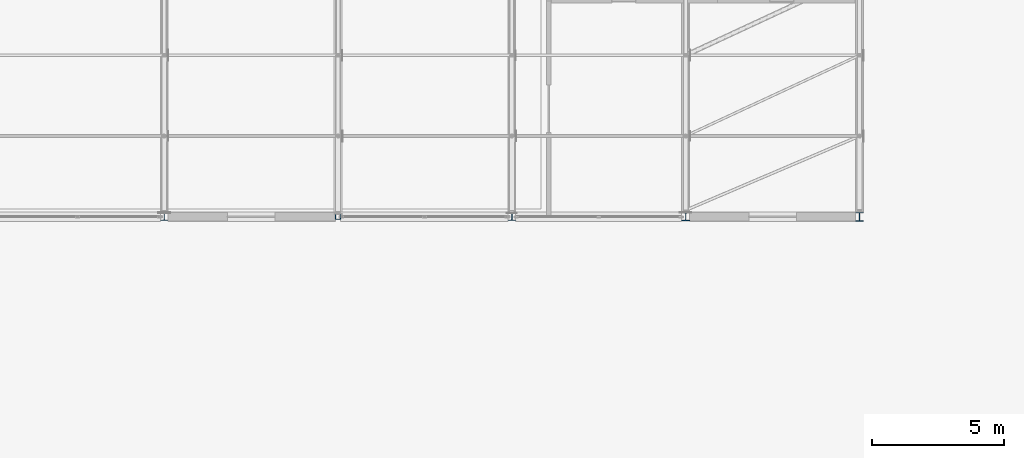
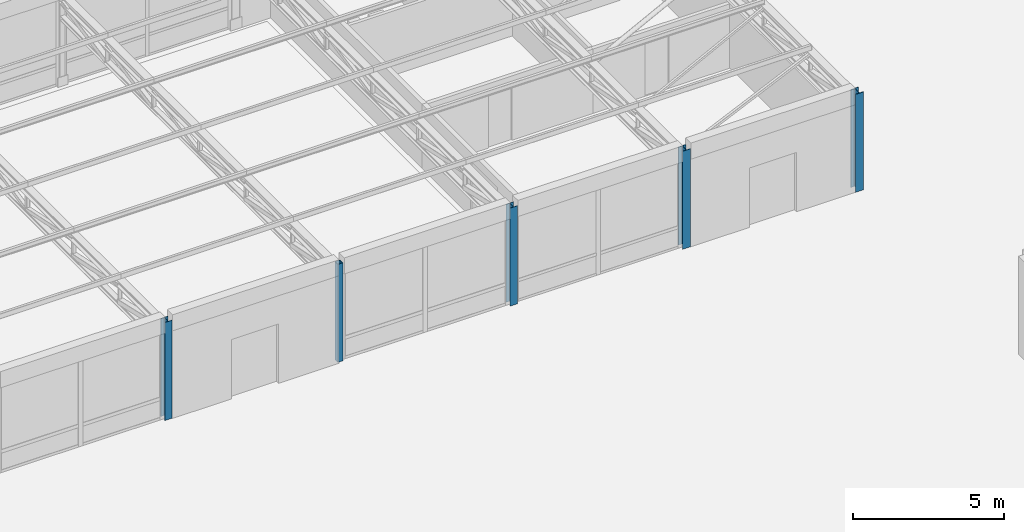
# One storey, part 4 of 92: 5 columns.
"""IFC4 building model written with IfcOpenShell, lengths in metres."""

from ifc_helpers import new_model, si_unit, direction, frame, origin, origin_2d, place, context, subcontext, project, spatial, hollow_rectangle, i_section, extrude, material, material_profile, profile_set, type_object, element, save


model = new_model("IFC4")

# Units and contexts
model_context = context("Model", 3, precision=1e-05, world=origin(), true_north=direction((0.0, 1.0)))
body_context = subcontext(model_context, "Body", "Model", "MODEL_VIEW")
ifc_project = project(units=[si_unit("LENGTHUNIT", "METRE"), si_unit("AREAUNIT", "SQUARE_METRE"), si_unit("VOLUMEUNIT", "CUBIC_METRE"), si_unit("PLANEANGLEUNIT", "RADIAN"), si_unit("MASSUNIT", "GRAM", prefix="KILO")], contexts=[model_context])

# Site, building, storey
site_placement = place(None, origin())
site = spatial("IfcSite", under=ifc_project, at=site_placement, CompositionType="ELEMENT")
building_placement = place(site_placement, origin())
building = spatial("IfcBuilding", under=site, at=building_placement, Name="Kernevlak Ridge Housing Community", CompositionType="ELEMENT")
storey_placement = place(building_placement, frame((0.0, 0.0, 4.199951171875)))
storey = spatial("IfcBuildingStorey", under=building, at=storey_placement, Name="L01", CompositionType="ELEMENT", Elevation=4.199951171875)

# Columns
ifc_material = material(Name="Steel S355", Category="steel")
ifc_material_profile_1 = material_profile(ifc_material, i_section(OverallWidth=0.300048828125, OverallDepth=0.340087890625, WebThickness=0.011962890625, FlangeThickness=0.021484375, FilletRadius=0.027099609375, at=origin_2d()), Name="HEB 340")
ifc_profile_set_1 = profile_set([ifc_material_profile_1], Name="Steel S355")
column_type_1 = type_object("IfcColumnType", Name="SC-01", PredefinedType="COLUMN", material=ifc_profile_set_1)
column_1_placement = place(storey_placement, frame((103.800048828125, 49.800048828125, 0.0), z_axis=(0.0, 0.0, 1.0), x_axis=(1.0, 0.0, 0.0)))
element("IfcColumn", 1, at=column_1_placement, inside=storey, type_object=column_type_1, Name="Column SC-01 COL-HALL-L01-6-0", PredefinedType="COLUMN", context=body_context, shape_type="SweptSolid", body=[
    extrude(i_section(OverallWidth=0.300048828125, OverallDepth=0.340087890625, WebThickness=0.011962890625, FlangeThickness=0.021484375, FilletRadius=0.027099609375, at=origin_2d()), origin(), (0.0, 0.0, 1.0), 3.9599609375),
])
ifc_material_profile_2 = material_profile(ifc_material, i_section(OverallWidth=0.300048828125, OverallDepth=0.300048828125, WebThickness=0.010986328125, FlangeThickness=0.01904296875, FilletRadius=0.027099609375, at=origin_2d()), Name="HEB 300")
ifc_profile_set_2 = profile_set([ifc_material_profile_2], Name="Steel S355")
column_type_2 = type_object("IfcColumnType", Name="SC-02", PredefinedType="COLUMN", material=ifc_profile_set_2)
column_2_placement = place(storey_placement, frame((97.199951171875, 49.800048828125, 0.0), z_axis=(0.0, 0.0, 1.0), x_axis=(1.0, 0.0, 0.0)))
element("IfcColumn", 2, at=column_2_placement, inside=storey, type_object=column_type_2, Name="Column SC-02 COL-HALL-L01-5-0", PredefinedType="COLUMN", context=body_context, shape_type="SweptSolid", body=[
    extrude(i_section(OverallWidth=0.300048828125, OverallDepth=0.300048828125, WebThickness=0.010986328125, FlangeThickness=0.01904296875, FilletRadius=0.027099609375, at=origin_2d()), origin(), (0.0, 0.0, 1.0), 3.9599609375),
])
ifc_material_profile_3 = material_profile(ifc_material, i_section(OverallWidth=0.280029296875, OverallDepth=0.280029296875, WebThickness=0.010498046875, FlangeThickness=0.01806640625, FilletRadius=0.02392578125, at=origin_2d()), Name="HEB 280")
ifc_profile_set_3 = profile_set([ifc_material_profile_3], Name="Steel S355")
column_type_3 = type_object("IfcColumnType", Name="SC-03", PredefinedType="COLUMN", material=ifc_profile_set_3)
for number, where, z_axis, x_axis, name in (
    (3, (77.39990234375, 49.800048828125, 0.0), (0.0, 0.0, 1.0), (1.0, 0.0, 0.0), "Column SC-03 COL-HALL-L01-2-0"),
    (4, (90.60009765625, 49.800048828125, 0.0), (0.0, 0.0, 1.0), (1.0, 0.0, 0.0), "Column SC-03 COL-HALL-L01-4-0"),
):
    element("IfcColumn", number, at=place(storey_placement, frame(where, z_axis=z_axis, x_axis=x_axis)), inside=storey, type_object=column_type_3, Name=name, PredefinedType="COLUMN", context=body_context, shape_type="SweptSolid", body=[
        extrude(i_section(OverallWidth=0.280029296875, OverallDepth=0.280029296875, WebThickness=0.010498046875, FlangeThickness=0.01806640625, FilletRadius=0.02392578125, at=origin_2d()), origin(), (0.0, 0.0, 1.0), 3.9599609375),
    ])
ifc_material_profile_4 = material_profile(ifc_material, hollow_rectangle(XDim=0.199951171875, YDim=0.199951171875, WallThickness=0.010009765625, InnerFilletRadius=0.010009765625, OuterFilletRadius=0.014892578125, at=origin_2d()), Name="SHS 200x200x10")
ifc_profile_set_4 = profile_set([ifc_material_profile_4], Name="Steel S355")
column_type_4 = type_object("IfcColumnType", Name="SC-07", PredefinedType="COLUMN", material=ifc_profile_set_4)
column_3_placement = place(storey_placement, frame((84.0, 49.800048828125, 0.0), z_axis=(0.0, 0.0, 1.0), x_axis=(1.0, 0.0, 0.0)))
element("IfcColumn", 5, at=column_3_placement, inside=storey, type_object=column_type_4, Name="Column SC-07 COL-HALL-L01-3-0", PredefinedType="COLUMN", context=body_context, shape_type="SweptSolid", body=[
    extrude(hollow_rectangle(XDim=0.199951171875, YDim=0.199951171875, WallThickness=0.010009765625, InnerFilletRadius=0.010009765625, OuterFilletRadius=0.014892578125, at=origin_2d()), origin(), (0.0, 0.0, 1.0), 3.9599609375),
])

save(model, "model.ifc")
